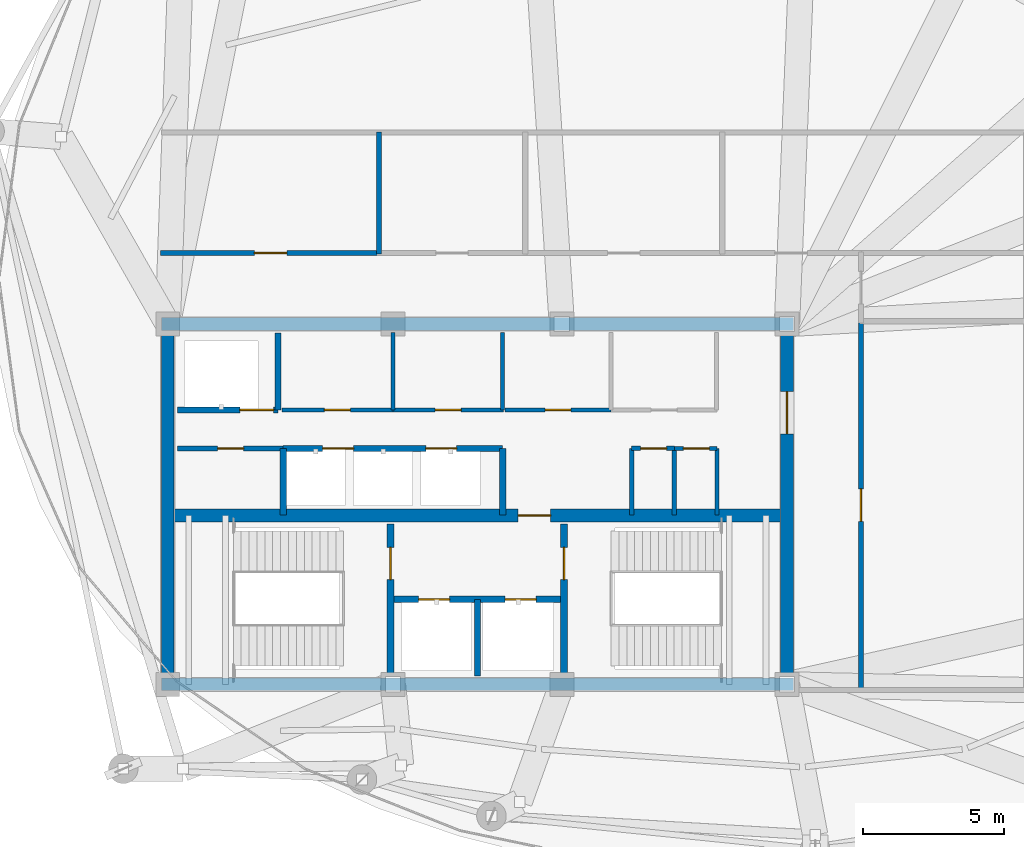
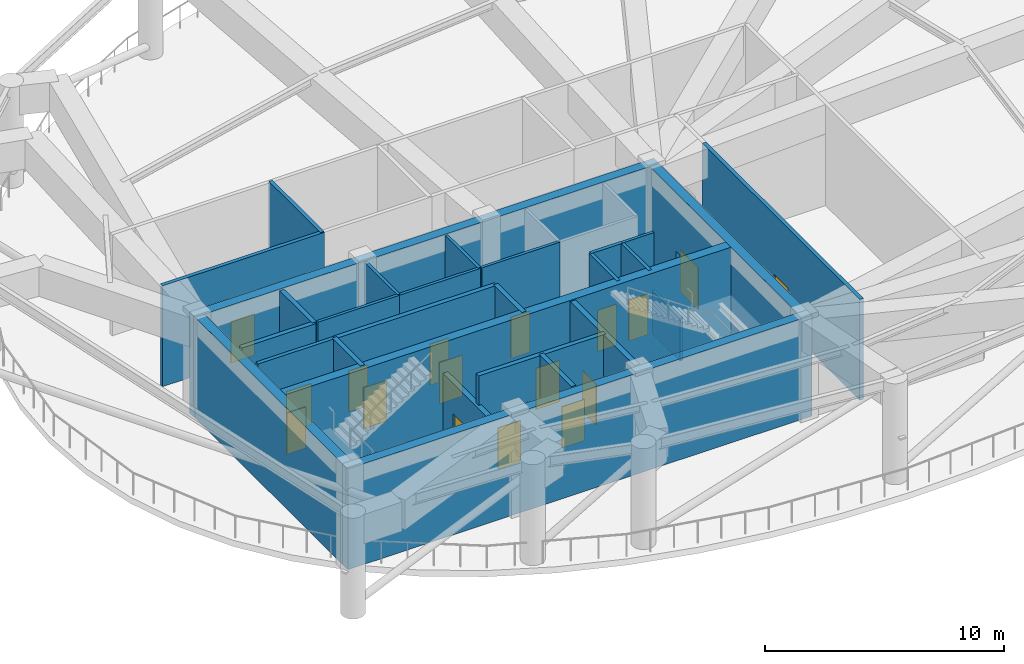
# One storey, part 6 of 9: 28 walls, 17 doors, 17 openings.
"""IFC4 building model written with IfcOpenShell, lengths in metres."""

import ifcopenshell
import ifcopenshell.guid

model = None  # the IFC model being written
_history = None  # IfcOwnerHistory: only IFC2X3 demands one
_inside = {}  # id of a spatial element -> (the spatial element, [elements in it])
_under = {}  # id of a project, library or spatial element -> (it, [spatial elements below it])
_declared = {}  # id of a project -> (the project, [libraries it declares])
_typed = {}  # id of a type object -> (the type object, [elements of that type])
_made_of = {}  # id of a material, layer set ... -> (it, [elements and type objects made of it])


def new_model(schema):
    """Start an empty IFC model of exactly this schema.

    Asked for "IFC4X3", IfcOpenShell would pick the latest addendum, in which some entities
    have other attributes; the version numbers below select the first issue.
    IFC2X3 requires an IfcOwnerHistory on every rooted entity: one is made here for all.
    """
    global model, _history
    if schema == "IFC4X3":
        model = ifcopenshell.file(schema_version=(4, 3, 0, 0))
    else:
        model = ifcopenshell.file(schema=schema)
    _inside.clear()
    _under.clear()
    _declared.clear()
    _typed.clear()
    _made_of.clear()
    _history = None
    if model.schema == "IFC2X3":
        org = make("IfcOrganization", Name="unknown")
        user = make(
            "IfcPersonAndOrganization",
            ThePerson=make("IfcPerson", FamilyName="unknown"),
            TheOrganization=org,
        )
        app = make(
            "IfcApplication",
            ApplicationDeveloper=org,
            Version="unknown",
            ApplicationFullName="unknown",
            ApplicationIdentifier="unknown",
        )
        _history = make(
            "IfcOwnerHistory",
            OwningUser=user,
            OwningApplication=app,
            ChangeAction="ADDED",
            CreationDate=0,
        )
    return model


def make(cls, **values):
    """One entity of the class cls with the attributes given. An attribute that is None is left unset."""
    return model.create_entity(
        cls, **{name: value for name, value in values.items() if value is not None}
    )


def rooted(cls, **values):
    """An entity with a GlobalId (a new one), such as an element, a storey or a relation."""
    return make(cls, GlobalId=ifcopenshell.guid.new(), OwnerHistory=_history, **values)


def si_unit(unit_type, name, prefix=None):
    """IfcSIUnit, for example si_unit("LENGTHUNIT", "METRE", prefix="MILLI")."""
    return make("IfcSIUnit", UnitType=unit_type, Prefix=prefix, Name=name)


def assignment(units):
    """IfcUnitAssignment: the units of a project."""
    return None if units is None else make("IfcUnitAssignment", Units=units)


def point(xyz):
    """IfcCartesianPoint."""
    return None if xyz is None else make("IfcCartesianPoint", Coordinates=xyz)


def direction(xyz):
    """IfcDirection."""
    return None if xyz is None else make("IfcDirection", DirectionRatios=xyz)


def frame(location, z_axis=None, x_axis=None):
    """IfcAxis2Placement3D, a coordinate frame: its origin and axes. An axis left out is left unset."""
    return make(
        "IfcAxis2Placement3D",
        Location=point(location),
        Axis=direction(z_axis),
        RefDirection=direction(x_axis),
    )


def frame_2d(location, x_axis=None):
    """IfcAxis2Placement2D, a coordinate frame in the plane: its origin and x axis."""
    return make(
        "IfcAxis2Placement2D", Location=point(location), RefDirection=direction(x_axis)
    )


def origin():
    """The frame at (0, 0, 0) with its axes left unset."""
    return frame((0.0, 0.0, 0.0))


def place(relative_to, where):
    """IfcLocalPlacement: puts the frame where relative to a parent placement (None: the world)."""
    return make(
        "IfcLocalPlacement", PlacementRelTo=relative_to, RelativePlacement=where
    )


def context(
    kind, dimensions, precision=None, world=None, true_north=None, identifier=None
):
    """IfcGeometricRepresentationContext, for example the 3D "Model" context."""
    return make(
        "IfcGeometricRepresentationContext",
        ContextIdentifier=identifier,
        ContextType=kind,
        CoordinateSpaceDimension=dimensions,
        Precision=precision,
        WorldCoordinateSystem=world,
        TrueNorth=true_north,
    )


def subcontext(parent, identifier, kind, view, scale=None):
    """IfcGeometricRepresentationSubContext, for example "Body" below "Model"."""
    return make(
        "IfcGeometricRepresentationSubContext",
        ContextIdentifier=identifier,
        ContextType=kind,
        ParentContext=parent,
        TargetScale=scale,
        TargetView=view,
    )


def project(units=None, contexts=None):
    """IfcProject with its units and contexts."""
    return rooted(
        "IfcProject",
        Name="project",
        RepresentationContexts=contexts,
        UnitsInContext=assignment(units),
    )


def spatial(cls, under=None, at=None, **own):
    """A site, building, storey or space (cls), placed at a placement, below another one or the project."""
    s = rooted(cls, ObjectPlacement=at, **own)
    if under is not None:
        _under.setdefault(under.id(), (under, []))[1].append(s)
    return s


def profile(cls, at=None, kind="AREA", **sizes):
    """A parametric profile (cls). Its sizes go by their IFC names, for example OverallWidth=200.0."""
    return make(cls, ProfileType=kind, Position=at, **sizes)


def rectangle(**sizes):
    """IfcRectangleProfileDef."""
    return profile("IfcRectangleProfileDef", **sizes)


def extrude(swept, where, along, depth):
    """IfcExtrudedAreaSolid: the profile swept, set in the frame where, extruded along a direction by depth."""
    return make(
        "IfcExtrudedAreaSolid",
        SweptArea=swept,
        Position=where,
        ExtrudedDirection=direction(along),
        Depth=depth,
    )


def shape(context_of_items, identifier, shape_type, items):
    """IfcShapeRepresentation: the items that make up one representation, for example the "Body"."""
    return make(
        "IfcShapeRepresentation",
        ContextOfItems=context_of_items,
        RepresentationIdentifier=identifier,
        RepresentationType=shape_type,
        Items=items,
    )


def material(Name=None, Category=None):
    """IfcMaterial."""
    return make("IfcMaterial", Name=Name, Category=Category)


def layer(
    of_material, thickness, ventilated=None, Name=None, Category=None, Priority=None
):
    """IfcMaterialLayer: one layer of a wall or slab, of a material (None: an air gap)."""
    return make(
        "IfcMaterialLayer",
        Material=of_material,
        LayerThickness=thickness,
        IsVentilated=ventilated,
        Name=Name,
        Category=Category,
        Priority=Priority,
    )


def layer_set(layers, Name=None):
    """IfcMaterialLayerSet."""
    return make("IfcMaterialLayerSet", MaterialLayers=layers, LayerSetName=Name)


def made_of(thing, what):
    """Note that an element or type object is made of a material, layer set ...; save() writes the relation."""
    if what is not None:
        _made_of.setdefault(what.id(), (what, []))[1].append(thing)
    return thing


def type_object(cls, material=None, **own):
    """A type object (cls), such as IfcWallType, which elements share."""
    return made_of(rooted(cls, **own), material)


def element(
    cls,
    number,
    at=None,
    inside=None,
    cuts=None,
    type_object=None,
    material=None,
    context=None,
    identifier="Body",
    shape_type=None,
    held_by="IfcProductDefinitionShape",
    body=None,
    shapes=None,
    **own,
):
    """One element of the class cls, such as IfcWall. Its Tag is "e" and its number.

    at: its placement. inside: the storey or other place that contains it. cuts: it is an
    opening in that element (IfcRelVoidsElement). A single representation is given by context,
    identifier, shape_type and body (its items); several are given by shapes. held_by: the class
    of the entity that holds the representations. save() writes the other relations.
    """
    e = rooted(cls, Tag="e%d" % number, ObjectPlacement=at, **own)
    if body is not None:
        shapes = [shape(context, identifier, shape_type, body)]
    if shapes is not None:
        e.Representation = make(held_by, Representations=shapes)
    if inside is not None:
        _inside.setdefault(inside.id(), (inside, []))[1].append(e)
    if cuts is not None:
        rooted(
            "IfcRelVoidsElement", RelatingBuildingElement=cuts, RelatedOpeningElement=e
        )
    if type_object is not None:
        _typed.setdefault(type_object.id(), (type_object, []))[1].append(e)
    return made_of(e, material)


def fill(opening, filler):
    """IfcRelFillsElement: the door or window that sits in an opening."""
    return rooted(
        "IfcRelFillsElement",
        RelatingOpeningElement=opening,
        RelatedBuildingElement=filler,
    )


def aggregate(whole, parts):
    """IfcRelAggregates: a whole, such as a stair, and the parts it consists of."""
    return rooted("IfcRelAggregates", RelatingObject=whole, RelatedObjects=parts)


def save(model, path):
    """Write the relations noted so far, then the file.

    IfcRelAggregates (storeys below a building ...), IfcRelContainedInSpatialStructure (elements
    in a storey), IfcRelDefinesByType, IfcRelAssociatesMaterial and IfcRelDeclares: one each for
    every whole, place, type object, material and project.
    """
    for whole, parts in _under.values():
        aggregate(whole, parts)
    for where, things in _inside.values():
        rooted(
            "IfcRelContainedInSpatialStructure",
            RelatedElements=things,
            RelatingStructure=where,
        )
    for kind, things in _typed.values():
        rooted("IfcRelDefinesByType", RelatedObjects=things, RelatingType=kind)
    for what, things in _made_of.values():
        rooted("IfcRelAssociatesMaterial", RelatedObjects=things, RelatingMaterial=what)
    for by, libraries in _declared.values():
        rooted("IfcRelDeclares", RelatingContext=by, RelatedDefinitions=libraries)
    model.write(path)


model = new_model("IFC4")

# Units and contexts
model_context = context("Model", 3, precision=1e-05, world=origin(), true_north=direction((0.0, 1.0)))
body_context = subcontext(model_context, "Body", "Model", "MODEL_VIEW")
ifc_project = project(units=[si_unit("LENGTHUNIT", "METRE"), si_unit("AREAUNIT", "SQUARE_METRE"), si_unit("VOLUMEUNIT", "CUBIC_METRE"), si_unit("PLANEANGLEUNIT", "RADIAN"), si_unit("MASSUNIT", "GRAM", prefix="KILO")], contexts=[model_context])

# Site, building, storey
site_placement = place(None, origin())
site = spatial("IfcSite", under=ifc_project, at=site_placement, CompositionType="ELEMENT")
building_placement = place(site_placement, origin())
building = spatial("IfcBuilding", under=site, at=building_placement, Name="Kazevale Care Tower and Concert Hall", CompositionType="ELEMENT")
storey_placement = place(building_placement, frame((0.0, 0.0, 253.199951171875)))
storey = spatial("IfcBuildingStorey", under=building, at=storey_placement, Name="L67", CompositionType="ELEMENT", Elevation=253.199951171875)

# Wall, opening, door
ifc_material_1 = material(Name="Acoustic Gypsum on Steel Stud", Category="steel")
ifc_layer_1 = layer(ifc_material_1, 0.139892578125)
ifc_layer_set_1 = layer_set([ifc_layer_1], Name="Acoustic Gypsum on Steel Stud")
wall_type_1 = type_object("IfcWallType", Name="Acoustic Care & Suite Partition 140", PredefinedType="PARTITIONING", material=ifc_layer_set_1)
wall_1_placement = place(storey_placement, frame((26.050048828125, 33.35009765625, 0.0), z_axis=(0.0, 0.0, 1.0), x_axis=(1.0, 0.0, 0.0)))
wall_1 = element("IfcWall", 1, at=wall_1_placement, inside=storey, type_object=wall_type_1, Name="wall:L67:c_rpl1_s", PredefinedType="PARTITIONING", context=body_context, shape_type="SweptSolid", body=[
    extrude(rectangle(XDim=3.949951171875, YDim=0.139892578125, at=frame_2d((1.97509765625, 0.0))), origin(), (0.0, 0.0, 1.0), 5.16015625),
])
opening_1_placement = place(wall_1_placement, frame((1.514892578125, 0.0, 0.0)))
opening_1 = element("IfcOpeningElement", 2, at=opening_1_placement, cuts=wall_1, Name="Opening ID-900", PredefinedType="OPENING", context=body_context, shape_type="SweptSolid", body=[
    extrude(rectangle(XDim=0.919921875, YDim=2.10009765625, at=frame_2d((0.4599609375, 1.050048828125))), frame((0.0, 0.079833984375, 0.0), z_axis=(0.0, -1.0, 0.0), x_axis=(1.0, 0.0, 0.0)), (0.0, 0.0, 1.0), 0.159912109375),
])
ifc_material_2 = material(Name="Oak Timber Fire Leaf", Category="wood")
door_type_1 = type_object("IfcDoorType", Name="Bathroom & Service Door 920x2100", OperationType="NOTDEFINED", PredefinedType="DOOR", material=ifc_material_2)
door_1_placement = place(opening_1_placement, origin())
door_1 = element("IfcDoor", 3, at=door_1_placement, inside=storey, type_object=door_type_1, Name="door:L67:d_rpl1", OperationType="SINGLE_SWING_LEFT", OverallHeight=2.10009765625, OverallWidth=0.919921875, PredefinedType="DOOR", context=body_context, shape_type="SweptSolid", body=[
    extrude(rectangle(XDim=0.919921875, YDim=2.10009765625, at=frame_2d((0.4599609375, 1.050048828125))), frame((0.0, 0.02490234375, 0.0), z_axis=(0.0, -1.0, 0.0), x_axis=(1.0, 0.0, 0.0)), (0.0, 0.0, 1.0), 0.050048828125),
])
fill(opening_1, door_1)

wall_2_placement = place(storey_placement, frame((30.0, 33.35009765625, 0.0), z_axis=(0.0, 0.0, 1.0), x_axis=(1.0, 0.0, 0.0)))
wall_2 = element("IfcWall", 4, at=wall_2_placement, inside=storey, type_object=wall_type_1, Name="wall:L67:c_rpl2_s", PredefinedType="PARTITIONING", context=body_context, shape_type="SweptSolid", body=[
    extrude(rectangle(XDim=3.919921875, YDim=0.139892578125, at=frame_2d((1.9599609375, 0.0))), origin(), (0.0, 0.0, 1.0), 5.16015625),
])
opening_2_placement = place(wall_2_placement, frame((1.5, 0.0, 0.0)))
opening_2 = element("IfcOpeningElement", 5, at=opening_2_placement, cuts=wall_2, Name="Opening ID-900", PredefinedType="OPENING", context=body_context, shape_type="SweptSolid", body=[
    extrude(rectangle(XDim=0.919921875, YDim=2.10009765625, at=frame_2d((0.4599609375, 1.050048828125))), frame((0.0, 0.079833984375, 0.0), z_axis=(0.0, -1.0, 0.0), x_axis=(1.0, 0.0, 0.0)), (0.0, 0.0, 1.0), 0.159912109375),
])
door_2_placement = place(opening_2_placement, origin())
door_2 = element("IfcDoor", 6, at=door_2_placement, inside=storey, type_object=door_type_1, Name="door:L67:d_rpl2", OperationType="SINGLE_SWING_RIGHT", OverallHeight=2.10009765625, OverallWidth=0.919921875, PredefinedType="DOOR", context=body_context, shape_type="SweptSolid", body=[
    extrude(rectangle(XDim=0.919921875, YDim=2.10009765625, at=frame_2d((0.4599609375, 1.050048828125))), frame((0.0, 0.02490234375, 0.0), z_axis=(0.0, -1.0, 0.0), x_axis=(1.0, 0.0, 0.0)), (0.0, 0.0, 1.0), 0.050048828125),
])
fill(opening_2, door_2)

# Walls
for number, where, z_axis, x_axis, name in (
    (7, (30.0, 33.35009765625, 0.0), (0.0, 0.0, 1.0), (0.0, 1.0, 0.0), "wall:L67:c_rpl_m"),
    (8, (33.89990234375, 33.35009765625, 0.0), (0.0, 0.0, 1.0), (0.0, 1.0, 0.0), "wall:L67:c_rpl_e"),
):
    element("IfcWall", number, at=place(storey_placement, frame(where, z_axis=z_axis, x_axis=x_axis)), inside=storey, type_object=wall_type_1, Name=name, PredefinedType="PARTITIONING", context=body_context, shape_type="SweptSolid", body=[
        extrude(rectangle(XDim=2.75, YDim=0.139892578125, at=frame_2d((1.375, 0.0))), origin(), (0.0, 0.0, 1.0), 5.16015625),
    ])

# Wall, opening, door
wall_3_placement = place(storey_placement, frame((33.97998046875, 33.35009765625, 0.0), z_axis=(0.0, 0.0, 1.0), x_axis=(1.0, 0.0, 0.0)))
wall_3 = element("IfcWall", 9, at=wall_3_placement, inside=storey, type_object=wall_type_1, Name="wall:L67:c_rpm1_s", PredefinedType="PARTITIONING", context=body_context, shape_type="SweptSolid", body=[
    extrude(rectangle(XDim=3.77001953125, YDim=0.139892578125, at=frame_2d((1.885009765625, 0.0))), origin(), (0.0, 0.0, 1.0), 5.16015625),
])
opening_3_placement = place(wall_3_placement, frame((1.425048828125, 0.0, 0.0)))
opening_3 = element("IfcOpeningElement", 10, at=opening_3_placement, cuts=wall_3, Name="Opening ID-900", PredefinedType="OPENING", context=body_context, shape_type="SweptSolid", body=[
    extrude(rectangle(XDim=0.919921875, YDim=2.10009765625, at=frame_2d((0.4599609375, 1.050048828125))), frame((0.0, 0.079833984375, 0.0), z_axis=(0.0, -1.0, 0.0), x_axis=(1.0, 0.0, 0.0)), (0.0, 0.0, 1.0), 0.159912109375),
])
door_3_placement = place(opening_3_placement, origin())
door_3 = element("IfcDoor", 11, at=door_3_placement, inside=storey, type_object=door_type_1, Name="door:L67:d_rpm1", OperationType="SINGLE_SWING_LEFT", OverallHeight=2.10009765625, OverallWidth=0.919921875, PredefinedType="DOOR", context=body_context, shape_type="SweptSolid", body=[
    extrude(rectangle(XDim=0.919921875, YDim=2.10009765625, at=frame_2d((0.4599609375, 1.050048828125))), frame((0.0, 0.02490234375, 0.0), z_axis=(0.0, -1.0, 0.0), x_axis=(1.0, 0.0, 0.0)), (0.0, 0.0, 1.0), 0.050048828125),
])
fill(opening_3, door_3)

# Wall
wall_4_placement = place(storey_placement, frame((41.52001953125, 29.6201171875, 0.0), z_axis=(0.0, 0.0, 1.0), x_axis=(0.0, 1.0, 0.0)))
element("IfcWall", 12, at=wall_4_placement, inside=storey, type_object=wall_type_1, Name="wall:L67:ka_ee", PredefinedType="PARTITIONING", context=body_context, shape_type="SweptSolid", body=[
    extrude(rectangle(XDim=2.35986328125, YDim=0.139892578125, at=frame_2d((1.179931640625, 0.0))), origin(), (0.0, 0.0, 1.0), 2.18701171875),
])

# Wall, opening, door
wall_5_placement = place(storey_placement, frame((40.0, 31.97998046875, 0.0), z_axis=(0.0, 0.0, 1.0), x_axis=(1.0, 0.0, 0.0)))
wall_5 = element("IfcWall", 13, at=wall_5_placement, inside=storey, type_object=wall_type_1, Name="wall:L67:ka_en2", PredefinedType="PARTITIONING", context=body_context, shape_type="SweptSolid", body=[
    extrude(rectangle(XDim=1.52001953125, YDim=0.139892578125, at=frame_2d((0.760009765625, 0.0))), origin(), (0.0, 0.0, 1.0), 5.16015625),
])
opening_4_placement = place(wall_5_placement, frame((0.320068359375, 0.0, 0.0)))
opening_4 = element("IfcOpeningElement", 14, at=opening_4_placement, cuts=wall_5, Name="Opening ID-900", PredefinedType="OPENING", context=body_context, shape_type="SweptSolid", body=[
    extrude(rectangle(XDim=0.919921875, YDim=2.10009765625, at=frame_2d((0.4599609375, 1.050048828125))), frame((0.0, 0.079833984375, 0.0), z_axis=(0.0, -1.0, 0.0), x_axis=(1.0, 0.0, 0.0)), (0.0, 0.0, 1.0), 0.159912109375),
])
door_4_placement = place(opening_4_placement, origin())
door_4 = element("IfcDoor", 15, at=door_4_placement, inside=storey, type_object=door_type_1, Name="door:L67:d_kae2", OperationType="SINGLE_SWING_RIGHT", OverallHeight=2.10009765625, OverallWidth=0.919921875, PredefinedType="DOOR", context=body_context, shape_type="SweptSolid", body=[
    extrude(rectangle(XDim=0.919921875, YDim=2.10009765625, at=frame_2d((0.4599609375, 1.050048828125))), frame((0.0, 0.02490234375, 0.0), z_axis=(0.0, -1.0, 0.0), x_axis=(1.0, 0.0, 0.0)), (0.0, 0.0, 1.0), 0.050048828125),
])
fill(opening_4, door_4)

# Walls
ifc_material_3 = material(Name="Concrete C50", Category="concrete")
ifc_layer_2 = layer(ifc_material_3, 0.449951171875)
ifc_layer_set_2 = layer_set([ifc_layer_2], Name="Concrete C50")
wall_type_2 = type_object("IfcWallType", Name="Core Shear Wall 450 C50", PredefinedType="SHEAR", material=ifc_layer_set_2)
for number, where, z_axis, x_axis, name in (
    (16, (21.77490234375, 23.60009765625, 0.0), (0.0, 0.0, 1.0), (1.0, 0.0, 0.0), "wall:L67:core:S"),
    (17, (21.77490234375, 36.39990234375, 0.0), (0.0, 0.0, 1.0), (1.0, 0.0, 0.0), "wall:L67:core:N"),
):
    element("IfcWall", number, at=place(storey_placement, frame(where, z_axis=z_axis, x_axis=x_axis)), inside=storey, type_object=wall_type_2, Name=name, PredefinedType="SHEAR", context=body_context, shape_type="SweptSolid", body=[
        extrude(rectangle(XDim=22.4501953125, YDim=0.449951171875, at=frame_2d((11.22509765625, 0.0))), origin(), (0.0, 0.0, 1.0), 5.16015625),
    ])
wall_6_placement = place(storey_placement, frame((22.0, 23.824951171875, 0.0), z_axis=(0.0, 0.0, 1.0), x_axis=(0.0, 1.0, 0.0)))
element("IfcWall", 18, at=wall_6_placement, inside=storey, type_object=wall_type_2, Name="wall:L67:core:W", PredefinedType="SHEAR", context=body_context, shape_type="SweptSolid", body=[
    extrude(rectangle(XDim=12.35009765625, YDim=0.449951171875, at=frame_2d((6.175048828125, 0.0))), origin(), (0.0, 0.0, 1.0), 5.16015625),
])

# Wall, opening, door
wall_7_placement = place(storey_placement, frame((44.0, 23.824951171875, 0.0), z_axis=(0.0, 0.0, 1.0), x_axis=(0.0, 1.0, 0.0)))
wall_7 = element("IfcWall", 19, at=wall_7_placement, inside=storey, type_object=wall_type_2, Name="wall:L67:core:E", PredefinedType="SHEAR", context=body_context, shape_type="SweptSolid", body=[
    extrude(rectangle(XDim=12.35009765625, YDim=0.449951171875, at=frame_2d((6.175048828125, 0.0))), origin(), (0.0, 0.0, 1.0), 5.16015625),
])
opening_5_placement = place(wall_7_placement, frame((8.675048828125, 0.0, 0.0)))
opening_5 = element("IfcOpeningElement", 20, at=opening_5_placement, cuts=wall_7, Name="Opening FD-60D", PredefinedType="OPENING", context=body_context, shape_type="SweptSolid", body=[
    extrude(rectangle(XDim=1.5, YDim=2.14990234375, at=frame_2d((0.75, 1.074951171875))), frame((0.0, 0.23486328125, 0.0), z_axis=(0.0, -1.0, 0.0), x_axis=(1.0, 0.0, 0.0)), (0.0, 0.0, 1.0), 0.469970703125),
])
door_type_2 = type_object("IfcDoorType", Name="Double Lobby & Auditorium Fire Door 1500x2150", OperationType="NOTDEFINED", PredefinedType="DOOR", material=ifc_material_2)
door_5_placement = place(opening_5_placement, origin())
door_5 = element("IfcDoor", 21, at=door_5_placement, inside=storey, type_object=door_type_2, Name="door:L67:core_east_out", OperationType="DOUBLE_DOOR_SINGLE_SWING", OverallHeight=2.14990234375, OverallWidth=1.5, PredefinedType="DOOR", context=body_context, shape_type="SweptSolid", body=[
    extrude(rectangle(XDim=1.5, YDim=2.14990234375, at=frame_2d((0.75, 1.074951171875))), frame((0.0, 0.02490234375, 0.0), z_axis=(0.0, -1.0, 0.0), x_axis=(1.0, 0.0, 0.0)), (0.0, 0.0, 1.0), 0.050048828125),
])
fill(opening_5, door_5)

wall_8_placement = place(storey_placement, frame((22.22509765625, 29.60009765625, 0.0), z_axis=(0.0, 0.0, 1.0), x_axis=(1.0, 0.0, 0.0)))
wall_8 = element("IfcWall", 22, at=wall_8_placement, inside=storey, type_object=wall_type_2, Name="wall:L67:core:M", PredefinedType="SHEAR", context=body_context, shape_type="SweptSolid", body=[
    extrude(rectangle(XDim=21.5498046875, YDim=0.449951171875, at=frame_2d((10.77490234375, 0.0))), origin(), (0.0, 0.0, 1.0), 5.16015625),
])
opening_6_placement = place(wall_8_placement, frame((12.22509765625, 0.0, 0.0)))
opening_6 = element("IfcOpeningElement", 23, at=opening_6_placement, cuts=wall_8, Name="Opening FD-90", PredefinedType="OPENING", context=body_context, shape_type="SweptSolid", body=[
    extrude(rectangle(XDim=1.14990234375, YDim=2.10009765625, at=frame_2d((0.574951171875, 1.050048828125))), frame((0.0, 0.23486328125, 0.0), z_axis=(0.0, -1.0, 0.0), x_axis=(1.0, 0.0, 0.0)), (0.0, 0.0, 1.0), 0.469970703125),
])
ifc_material_4 = material(Name="Steel ASTM A572 Gr 50", Category="steel")
door_type_3 = type_object("IfcDoorType", Name="Pressurized Stair & Lobby Fire Door 1150x2100", OperationType="NOTDEFINED", PredefinedType="DOOR", material=ifc_material_4)
door_6_placement = place(opening_6_placement, origin())
door_6 = element("IfcDoor", 24, at=door_6_placement, inside=storey, type_object=door_type_3, Name="door:L67:ff_to_pax", OperationType="SINGLE_SWING_LEFT", OverallHeight=2.10009765625, OverallWidth=1.14990234375, PredefinedType="DOOR", context=body_context, shape_type="SweptSolid", body=[
    extrude(rectangle(XDim=1.14990234375, YDim=2.10009765625, at=frame_2d((0.574951171875, 1.050048828125))), frame((0.0, 0.02490234375, 0.0), z_axis=(0.0, -1.0, 0.0), x_axis=(1.0, 0.0, 0.0)), (0.0, 0.0, 1.0), 0.050048828125),
])
fill(opening_6, door_6)

# Wall, openings, doors
ifc_material_5 = material(Name="Concrete C40", Category="concrete")
ifc_layer_3 = layer(ifc_material_5, 0.219970703125)
ifc_layer_set_3 = layer_set([ifc_layer_3], Name="Concrete C40")
wall_type_3 = type_object("IfcWallType", Name="Elevator Hoistway Shaft Wall 220", PredefinedType="SOLIDWALL", material=ifc_layer_set_3)
wall_9_placement = place(storey_placement, frame((29.919921875, 26.6201171875, 0.0), z_axis=(0.0, 0.0, 1.0), x_axis=(1.0, 0.0, 0.0)))
wall_9 = element("IfcWall", 25, at=wall_9_placement, inside=storey, type_object=wall_type_3, Name="wall:L67:c_ffl_n", PredefinedType="SOLIDWALL", context=body_context, shape_type="SweptSolid", body=[
    extrude(rectangle(XDim=6.16015625, YDim=0.219970703125, at=frame_2d((3.080078125, 0.0))), origin(), (0.0, 0.0, 1.0), 5.16015625),
])
opening_7_placement = place(wall_9_placement, frame((0.989990234375, 0.0, 0.0)))
opening_7 = element("IfcOpeningElement", 26, at=opening_7_placement, cuts=wall_9, Name="Opening LD-FF", PredefinedType="OPENING", context=body_context, shape_type="SweptSolid", body=[
    extrude(rectangle(XDim=1.10009765625, YDim=2.10009765625, at=frame_2d((0.550048828125, 1.050048828125))), frame((0.0, 0.119873046875, 0.0), z_axis=(0.0, -1.0, 0.0), x_axis=(1.0, 0.0, 0.0)), (0.0, 0.0, 1.0), 0.239990234375),
])
opening_8_placement = place(wall_9_placement, frame((4.070068359375, 0.0, 0.0)))
opening_8 = element("IfcOpeningElement", 27, at=opening_8_placement, cuts=wall_9, Name="Opening LD-FF", PredefinedType="OPENING", context=body_context, shape_type="SweptSolid", body=[
    extrude(rectangle(XDim=1.10009765625, YDim=2.10009765625, at=frame_2d((0.550048828125, 1.050048828125))), frame((0.0, 0.119873046875, 0.0), z_axis=(0.0, -1.0, 0.0), x_axis=(1.0, 0.0, 0.0)), (0.0, 0.0, 1.0), 0.239990234375),
])
ifc_material_6 = material(Name="Stainless Steel 316", Category="steel")
door_type_4 = type_object("IfcDoorType", Name="Emergency Lift Sliding Landing Door 1100x2100", OperationType="NOTDEFINED", PredefinedType="DOOR", material=ifc_material_6)
door_7_placement = place(opening_7_placement, origin())
door_7 = element("IfcDoor", 28, at=door_7_placement, inside=storey, type_object=door_type_4, Name="door:L67:ld_ffl1", OperationType="SLIDING_TO_LEFT", OverallHeight=2.10009765625, OverallWidth=1.10009765625, PredefinedType="DOOR", context=body_context, shape_type="SweptSolid", body=[
    extrude(rectangle(XDim=1.10009765625, YDim=2.10009765625, at=frame_2d((0.550048828125, 1.050048828125))), frame((0.0, 0.02490234375, 0.0), z_axis=(0.0, -1.0, 0.0), x_axis=(1.0, 0.0, 0.0)), (0.0, 0.0, 1.0), 0.050048828125),
])
fill(opening_7, door_7)
door_8_placement = place(opening_8_placement, origin())
door_8 = element("IfcDoor", 29, at=door_8_placement, inside=storey, type_object=door_type_4, Name="door:L67:ld_ffl2", OperationType="SLIDING_TO_RIGHT", OverallHeight=2.10009765625, OverallWidth=1.10009765625, PredefinedType="DOOR", context=body_context, shape_type="SweptSolid", body=[
    extrude(rectangle(XDim=1.10009765625, YDim=2.10009765625, at=frame_2d((0.550048828125, 1.050048828125))), frame((0.0, 0.02490234375, 0.0), z_axis=(0.0, -1.0, 0.0), x_axis=(1.0, 0.0, 0.0)), (0.0, 0.0, 1.0), 0.050048828125),
])
fill(opening_8, door_8)

# Walls
wall_10_placement = place(storey_placement, frame((33.0, 23.89990234375, 0.0), z_axis=(0.0, 0.0, 1.0), x_axis=(0.0, 1.0, 0.0)))
element("IfcWall", 30, at=wall_10_placement, inside=storey, type_object=wall_type_3, Name="wall:L67:c_ffl_m", PredefinedType="SOLIDWALL", context=body_context, shape_type="SweptSolid", body=[
    extrude(rectangle(XDim=2.72021484375, YDim=0.219970703125, at=frame_2d((1.360107421875, 0.0))), origin(), (0.0, 0.0, 1.0), 5.16015625),
])
wall_11_placement = place(storey_placement, frame((25.919921875, 33.35009765625, 0.0), z_axis=(0.0, 0.0, 1.0), x_axis=(0.0, 1.0, 0.0)))
element("IfcWall", 31, at=wall_11_placement, inside=storey, type_object=wall_type_3, Name="wall:L67:c_svl_e", PredefinedType="SOLIDWALL", context=body_context, shape_type="SweptSolid", body=[
    extrude(rectangle(XDim=2.72998046875, YDim=0.219970703125, at=frame_2d((1.364990234375, 0.0))), origin(), (0.0, 0.0, 1.0), 5.16015625),
])

# Wall, opening, door
wall_12_placement = place(storey_placement, frame((22.35009765625, 33.35009765625, 0.0), z_axis=(0.0, 0.0, 1.0), x_axis=(1.0, 0.0, 0.0)))
wall_12 = element("IfcWall", 32, at=wall_12_placement, inside=storey, type_object=wall_type_3, Name="wall:L67:c_svl_s", PredefinedType="SOLIDWALL", context=body_context, shape_type="SweptSolid", body=[
    extrude(rectangle(XDim=3.56982421875, YDim=0.219970703125, at=frame_2d((1.784912109375, 0.0))), origin(), (0.0, 0.0, 1.0), 5.16015625),
])
opening_9_placement = place(wall_12_placement, frame((2.212890625, 0.0, 0.0)))
opening_9 = element("IfcOpeningElement", 33, at=opening_9_placement, cuts=wall_12, Name="Opening LD-SV", PredefinedType="OPENING", context=body_context, shape_type="SweptSolid", body=[
    extrude(rectangle(XDim=1.199951171875, YDim=2.10009765625, at=frame_2d((0.60009765625, 1.050048828125))), frame((0.0, 0.119873046875, 0.0), z_axis=(0.0, -1.0, 0.0), x_axis=(1.0, 0.0, 0.0)), (0.0, 0.0, 1.0), 0.239990234375),
])
door_type_5 = type_object("IfcDoorType", Name="Service Lift Sliding Landing Door 1200x2100", OperationType="NOTDEFINED", PredefinedType="DOOR", material=ifc_material_6)
door_9_placement = place(opening_9_placement, origin())
door_9 = element("IfcDoor", 34, at=door_9_placement, inside=storey, type_object=door_type_5, Name="door:L67:ld_svl1", OperationType="SLIDING_TO_LEFT", OverallHeight=2.10009765625, OverallWidth=1.199951171875, PredefinedType="DOOR", context=body_context, shape_type="SweptSolid", body=[
    extrude(rectangle(XDim=1.199951171875, YDim=2.10009765625, at=frame_2d((0.60009765625, 1.050048828125))), frame((0.0, 0.02490234375, 0.0), z_axis=(0.0, -1.0, 0.0), x_axis=(1.0, 0.0, 0.0)), (0.0, 0.0, 1.0), 0.050048828125),
])
fill(opening_9, door_9)

# Wall
wall_13_placement = place(storey_placement, frame((26.10009765625, 29.6201171875, 0.0), z_axis=(0.0, 0.0, 1.0), x_axis=(0.0, 1.0, 0.0)))
element("IfcWall", 35, at=wall_13_placement, inside=storey, type_object=wall_type_3, Name="wall:L67:c_ph_w", PredefinedType="SOLIDWALL", context=body_context, shape_type="SweptSolid", body=[
    extrude(rectangle(XDim=2.35986328125, YDim=0.219970703125, at=frame_2d((1.179931640625, 0.0))), origin(), (0.0, 0.0, 1.0), 5.16015625),
])

# Wall, openings, doors
wall_14_placement = place(storey_placement, frame((26.10009765625, 31.97998046875, 0.0), z_axis=(0.0, 0.0, 1.0), x_axis=(1.0, 0.0, 0.0)))
wall_14 = element("IfcWall", 36, at=wall_14_placement, inside=storey, type_object=wall_type_3, Name="wall:L67:c_ph_n", PredefinedType="SOLIDWALL", context=body_context, shape_type="SweptSolid", body=[
    extrude(rectangle(XDim=7.7998046875, YDim=0.219970703125, at=frame_2d((3.89990234375, 0.0))), origin(), (0.0, 0.0, 1.0), 5.16015625),
])
opening_10_placement = place(wall_14_placement, frame((1.39990234375, 0.0, 0.0)))
opening_10 = element("IfcOpeningElement", 37, at=opening_10_placement, cuts=wall_14, Name="Opening LD-PAX", PredefinedType="OPENING", context=body_context, shape_type="SweptSolid", body=[
    extrude(rectangle(XDim=1.10009765625, YDim=2.10009765625, at=frame_2d((0.550048828125, 1.050048828125))), frame((0.0, 0.119873046875, 0.0), z_axis=(0.0, -1.0, 0.0), x_axis=(1.0, 0.0, 0.0)), (0.0, 0.0, 1.0), 0.239990234375),
])
opening_11_placement = place(wall_14_placement, frame((5.06591796875, 0.0, 0.0)))
opening_11 = element("IfcOpeningElement", 38, at=opening_11_placement, cuts=wall_14, Name="Opening LD-PAX", PredefinedType="OPENING", context=body_context, shape_type="SweptSolid", body=[
    extrude(rectangle(XDim=1.10009765625, YDim=2.10009765625, at=frame_2d((0.550048828125, 1.050048828125))), frame((0.0, 0.119873046875, 0.0), z_axis=(0.0, -1.0, 0.0), x_axis=(1.0, 0.0, 0.0)), (0.0, 0.0, 1.0), 0.239990234375),
])
door_type_6 = type_object("IfcDoorType", Name="Passenger Lift Sliding Landing Door 1100x2100", OperationType="NOTDEFINED", PredefinedType="DOOR", material=ifc_material_6)
door_10_placement = place(opening_10_placement, origin())
door_10 = element("IfcDoor", 39, at=door_10_placement, inside=storey, type_object=door_type_6, Name="door:L67:ld_ph1", OperationType="SLIDING_TO_LEFT", OverallHeight=2.10009765625, OverallWidth=1.10009765625, PredefinedType="DOOR", context=body_context, shape_type="SweptSolid", body=[
    extrude(rectangle(XDim=1.10009765625, YDim=2.10009765625, at=frame_2d((0.550048828125, 1.050048828125))), frame((0.0, 0.02490234375, 0.0), z_axis=(0.0, -1.0, 0.0), x_axis=(1.0, 0.0, 0.0)), (0.0, 0.0, 1.0), 0.050048828125),
])
fill(opening_10, door_10)
door_11_placement = place(opening_11_placement, origin())
door_11 = element("IfcDoor", 40, at=door_11_placement, inside=storey, type_object=door_type_6, Name="door:L67:ld_ph2", OperationType="SLIDING_TO_RIGHT", OverallHeight=2.10009765625, OverallWidth=1.10009765625, PredefinedType="DOOR", context=body_context, shape_type="SweptSolid", body=[
    extrude(rectangle(XDim=1.10009765625, YDim=2.10009765625, at=frame_2d((0.550048828125, 1.050048828125))), frame((0.0, 0.02490234375, 0.0), z_axis=(0.0, -1.0, 0.0), x_axis=(1.0, 0.0, 0.0)), (0.0, 0.0, 1.0), 0.050048828125),
])
fill(opening_11, door_11)

# Wall
wall_15_placement = place(storey_placement, frame((33.89990234375, 29.6201171875, 0.0), z_axis=(0.0, 0.0, 1.0), x_axis=(0.0, 1.0, 0.0)))
element("IfcWall", 41, at=wall_15_placement, inside=storey, type_object=wall_type_3, Name="wall:L67:c_ph_e", PredefinedType="SOLIDWALL", context=body_context, shape_type="SweptSolid", body=[
    extrude(rectangle(XDim=2.35986328125, YDim=0.219970703125, at=frame_2d((1.179931640625, 0.0))), origin(), (0.0, 0.0, 1.0), 5.16015625),
])

# Wall, opening, door
ifc_material_7 = material(Name="Concrete C40 and Acoustic Gypsum", Category="concrete")
ifc_layer_4 = layer(ifc_material_7, 0.179931640625)
ifc_layer_set_4 = layer_set([ifc_layer_4], Name="Concrete C40 and Acoustic Gypsum")
wall_type_4 = type_object("IfcWallType", Name="Fire-Rated Corridor & Party Wall 180", PredefinedType="PARTITIONING", material=ifc_layer_set_4)
wall_16_placement = place(storey_placement, frame((22.35009765625, 31.97998046875, 0.0), z_axis=(0.0, 0.0, 1.0), x_axis=(1.0, 0.0, 0.0)))
wall_16 = element("IfcWall", 42, at=wall_16_placement, inside=storey, type_object=wall_type_4, Name="wall:L67:ka_wn1", PredefinedType="PARTITIONING", context=body_context, shape_type="SweptSolid", body=[
    extrude(rectangle(XDim=3.75, YDim=0.179931640625, at=frame_2d((1.875, 0.0))), origin(), (0.0, 0.0, 1.0), 5.16015625),
])
opening_12_placement = place(wall_16_placement, frame((1.425048828125, 0.0, 0.0)))
opening_12 = element("IfcOpeningElement", 43, at=opening_12_placement, cuts=wall_16, Name="Opening ID-900", PredefinedType="OPENING", context=body_context, shape_type="SweptSolid", body=[
    extrude(rectangle(XDim=0.919921875, YDim=2.10009765625, at=frame_2d((0.4599609375, 1.050048828125))), frame((0.0, 0.099853515625, 0.0), z_axis=(0.0, -1.0, 0.0), x_axis=(1.0, 0.0, 0.0)), (0.0, 0.0, 1.0), 0.199951171875),
])
door_12_placement = place(opening_12_placement, origin())
door_12 = element("IfcDoor", 44, at=door_12_placement, inside=storey, type_object=door_type_1, Name="door:L67:d_kaw", OperationType="SINGLE_SWING_LEFT", OverallHeight=2.10009765625, OverallWidth=0.919921875, PredefinedType="DOOR", context=body_context, shape_type="SweptSolid", body=[
    extrude(rectangle(XDim=0.919921875, YDim=2.10009765625, at=frame_2d((0.4599609375, 1.050048828125))), frame((0.0, 0.02490234375, 0.0), z_axis=(0.0, -1.0, 0.0), x_axis=(1.0, 0.0, 0.0)), (0.0, 0.0, 1.0), 0.050048828125),
])
fill(opening_12, door_12)

wall_17_placement = place(storey_placement, frame((21.7451171875, 38.925048828125, 0.0), z_axis=(0.0, 0.0, 1.0), x_axis=(1.0, 0.0, 0.0)))
wall_17 = element("IfcWall", 45, at=wall_17_placement, inside=storey, type_object=wall_type_4, Name="wall:L67:auto_001", PredefinedType="PARTITIONING", context=body_context, shape_type="SweptSolid", body=[
    extrude(rectangle(XDim=7.81982421875, YDim=0.179931640625, at=frame_2d((3.909912109375, 0.0))), origin(), (0.0, 0.0, 1.0), 5.16015625),
])
opening_13_placement = place(wall_17_placement, frame((3.3349609375, 0.0, 0.0)))
opening_13 = element("IfcOpeningElement", 46, at=opening_13_placement, cuts=wall_17, Name="Opening FD-90", PredefinedType="OPENING", context=body_context, shape_type="SweptSolid", body=[
    extrude(rectangle(XDim=1.14990234375, YDim=2.10009765625, at=frame_2d((0.574951171875, 1.050048828125))), frame((0.0, 0.099853515625, 0.0), z_axis=(0.0, -1.0, 0.0), x_axis=(1.0, 0.0, 0.0)), (0.0, 0.0, 1.0), 0.199951171875),
])
door_13_placement = place(opening_13_placement, origin())
door_13 = element("IfcDoor", 47, at=door_13_placement, inside=storey, type_object=door_type_3, Name="door:L67:ad_001", OperationType="SINGLE_SWING_LEFT", OverallHeight=2.10009765625, OverallWidth=1.14990234375, PredefinedType="DOOR", context=body_context, shape_type="SweptSolid", body=[
    extrude(rectangle(XDim=1.14990234375, YDim=2.10009765625, at=frame_2d((0.574951171875, 1.050048828125))), frame((0.0, 0.02490234375, 0.0), z_axis=(0.0, -1.0, 0.0), x_axis=(1.0, 0.0, 0.0)), (0.0, 0.0, 1.0), 0.050048828125),
])
fill(opening_13, door_13)

wall_18_placement = place(storey_placement, frame((46.625, 36.56494140625, 0.0), z_axis=(0.0, 0.0, 1.0), x_axis=(0.0, -1.0, 0.0)))
wall_18 = element("IfcWall", 48, at=wall_18_placement, inside=storey, type_object=wall_type_4, Name="wall:L67:auto_002", PredefinedType="PARTITIONING", context=body_context, shape_type="SweptSolid", body=[
    extrude(rectangle(XDim=13.19482421875, YDim=0.179931640625, at=frame_2d((6.597412109375, 0.0))), origin(), (0.0, 0.0, 1.0), 5.16015625),
])
opening_14_placement = place(wall_18_placement, frame((6.02197265625, 0.0, 0.0)))
opening_14 = element("IfcOpeningElement", 49, at=opening_14_placement, cuts=wall_18, Name="Opening FD-90", PredefinedType="OPENING", context=body_context, shape_type="SweptSolid", body=[
    extrude(rectangle(XDim=1.14990234375, YDim=2.10009765625, at=frame_2d((0.574951171875, 1.050048828125))), frame((0.0, 0.099853515625, 0.0), z_axis=(0.0, -1.0, 0.0), x_axis=(1.0, 0.0, 0.0)), (0.0, 0.0, 1.0), 0.199951171875),
])
door_14_placement = place(opening_14_placement, origin())
door_14 = element("IfcDoor", 50, at=door_14_placement, inside=storey, type_object=door_type_3, Name="door:L67:ad_002", OperationType="SINGLE_SWING_LEFT", OverallHeight=2.10009765625, OverallWidth=1.14990234375, PredefinedType="DOOR", context=body_context, shape_type="SweptSolid", body=[
    extrude(rectangle(XDim=1.14990234375, YDim=2.10009765625, at=frame_2d((0.574951171875, 1.050048828125))), frame((0.0, 0.02490234375, 0.0), z_axis=(0.0, -1.0, 0.0), x_axis=(1.0, 0.0, 0.0)), (0.0, 0.0, 1.0), 0.050048828125),
])
fill(opening_14, door_14)

# Walls
wall_19_placement = place(storey_placement, frame((29.5, 43.22998046875, 0.0), z_axis=(0.0, 0.0, 1.0), x_axis=(0.0, -1.0, 0.0)))
element("IfcWall", 51, at=wall_19_placement, inside=storey, type_object=wall_type_4, Name="wall:L67:auto_007", PredefinedType="PARTITIONING", context=body_context, shape_type="SweptSolid", body=[
    extrude(rectangle(XDim=4.3349609375, YDim=0.179931640625, at=frame_2d((2.16748046875, 0.0))), origin(), (0.0, 0.0, 1.0), 5.16015625),
])
ifc_layer_5 = layer(ifc_material_1, 0.159912109375)
ifc_layer_set_5 = layer_set([ifc_layer_5], Name="Acoustic Gypsum on Steel Stud")
wall_type_5 = type_object("IfcWallType", Name="Moisture-Resistant Bathroom Plumbing Wall 160", PredefinedType="PLUMBINGWALL", material=ifc_layer_set_5)
for number, where, z_axis, x_axis, name in (
    (52, (38.47998046875, 29.6201171875, 0.0), (0.0, 0.0, 1.0), (0.0, 1.0, 0.0), "wall:L67:ka_ew"),
    (53, (40.0, 29.6201171875, 0.0), (0.0, 0.0, 1.0), (0.0, 1.0, 0.0), "wall:L67:ka_em"),
):
    element("IfcWall", number, at=place(storey_placement, frame(where, z_axis=z_axis, x_axis=x_axis)), inside=storey, type_object=wall_type_5, Name=name, PredefinedType="PLUMBINGWALL", context=body_context, shape_type="SweptSolid", body=[
        extrude(rectangle(XDim=2.35986328125, YDim=0.159912109375, at=frame_2d((1.179931640625, 0.0))), origin(), (0.0, 0.0, 1.0), 5.16015625),
    ])

# Wall, opening, door
wall_20_placement = place(storey_placement, frame((38.47998046875, 31.97998046875, 0.0), z_axis=(0.0, 0.0, 1.0), x_axis=(1.0, 0.0, 0.0)))
wall_20 = element("IfcWall", 54, at=wall_20_placement, inside=storey, type_object=wall_type_5, Name="wall:L67:ka_en1", PredefinedType="PLUMBINGWALL", context=body_context, shape_type="SweptSolid", body=[
    extrude(rectangle(XDim=1.52001953125, YDim=0.159912109375, at=frame_2d((0.760009765625, 0.0))), origin(), (0.0, 0.0, 1.0), 5.16015625),
])
opening_15_placement = place(wall_20_placement, frame((0.320068359375, 0.0, 0.0)))
opening_15 = element("IfcOpeningElement", 55, at=opening_15_placement, cuts=wall_20, Name="Opening ID-900", PredefinedType="OPENING", context=body_context, shape_type="SweptSolid", body=[
    extrude(rectangle(XDim=0.919921875, YDim=2.10009765625, at=frame_2d((0.4599609375, 1.050048828125))), frame((0.0, 0.08984375, 0.0), z_axis=(0.0, -1.0, 0.0), x_axis=(1.0, 0.0, 0.0)), (0.0, 0.0, 1.0), 0.179931640625),
])
door_15_placement = place(opening_15_placement, origin())
door_15 = element("IfcDoor", 56, at=door_15_placement, inside=storey, type_object=door_type_1, Name="door:L67:d_kae1", OperationType="SINGLE_SWING_LEFT", OverallHeight=2.10009765625, OverallWidth=0.919921875, PredefinedType="DOOR", context=body_context, shape_type="SweptSolid", body=[
    extrude(rectangle(XDim=0.919921875, YDim=2.10009765625, at=frame_2d((0.4599609375, 1.050048828125))), frame((0.0, 0.02490234375, 0.0), z_axis=(0.0, -1.0, 0.0), x_axis=(1.0, 0.0, 0.0)), (0.0, 0.0, 1.0), 0.050048828125),
])
fill(opening_15, door_15)

ifc_layer_6 = layer(ifc_material_5, 0.25)
ifc_layer_set_6 = layer_set([ifc_layer_6], Name="Concrete C40")
wall_type_6 = type_object("IfcWallType", Name="Pressurized Stair Shaft Wall 250", PredefinedType="SOLIDWALL", material=ifc_layer_set_6)
wall_21_placement = place(storey_placement, frame((29.919921875, 23.89990234375, 0.0), z_axis=(0.0, 0.0, 1.0), x_axis=(0.0, 1.0, 0.0)))
wall_21 = element("IfcWall", 57, at=wall_21_placement, inside=storey, type_object=wall_type_6, Name="wall:L67:c_st1_e", PredefinedType="SOLIDWALL", context=body_context, shape_type="SweptSolid", body=[
    extrude(rectangle(XDim=5.400146484375, YDim=0.25, at=frame_2d((2.7001953125, 0.0))), origin(), (0.0, 0.0, 1.0), 3.650146484375),
])
opening_16_placement = place(wall_21_placement, frame((3.4208984375, 0.0, 0.0)))
opening_16 = element("IfcOpeningElement", 58, at=opening_16_placement, cuts=wall_21, Name="Opening FD-90", PredefinedType="OPENING", context=body_context, shape_type="SweptSolid", body=[
    extrude(rectangle(XDim=1.14990234375, YDim=2.10009765625, at=frame_2d((0.574951171875, 1.050048828125))), frame((0.0, 0.135009765625, 0.0), z_axis=(0.0, -1.0, 0.0), x_axis=(1.0, 0.0, 0.0)), (0.0, 0.0, 1.0), 0.27001953125),
])
door_16_placement = place(opening_16_placement, origin())
door_16 = element("IfcDoor", 59, at=door_16_placement, inside=storey, type_object=door_type_3, Name="door:L67:st1", OperationType="SINGLE_SWING_RIGHT", OverallHeight=2.10009765625, OverallWidth=1.14990234375, PredefinedType="DOOR", context=body_context, shape_type="SweptSolid", body=[
    extrude(rectangle(XDim=1.14990234375, YDim=2.10009765625, at=frame_2d((0.574951171875, 1.050048828125))), frame((0.0, 0.02490234375, 0.0), z_axis=(0.0, -1.0, 0.0), x_axis=(1.0, 0.0, 0.0)), (0.0, 0.0, 1.0), 0.050048828125),
])
fill(opening_16, door_16)

wall_22_placement = place(storey_placement, frame((36.080078125, 23.89990234375, 0.0), z_axis=(0.0, 0.0, 1.0), x_axis=(0.0, 1.0, 0.0)))
wall_22 = element("IfcWall", 60, at=wall_22_placement, inside=storey, type_object=wall_type_6, Name="wall:L67:c_st2_w", PredefinedType="SOLIDWALL", context=body_context, shape_type="SweptSolid", body=[
    extrude(rectangle(XDim=5.400146484375, YDim=0.25, at=frame_2d((2.7001953125, 0.0))), origin(), (0.0, 0.0, 1.0), 5.16015625),
])
opening_17_placement = place(wall_22_placement, frame((3.4208984375, 0.0, 0.0)))
opening_17 = element("IfcOpeningElement", 61, at=opening_17_placement, cuts=wall_22, Name="Opening FD-90", PredefinedType="OPENING", context=body_context, shape_type="SweptSolid", body=[
    extrude(rectangle(XDim=1.14990234375, YDim=2.10009765625, at=frame_2d((0.574951171875, 1.050048828125))), frame((0.0, 0.135009765625, 0.0), z_axis=(0.0, -1.0, 0.0), x_axis=(1.0, 0.0, 0.0)), (0.0, 0.0, 1.0), 0.27001953125),
])
door_17_placement = place(opening_17_placement, origin())
door_17 = element("IfcDoor", 62, at=door_17_placement, inside=storey, type_object=door_type_3, Name="door:L67:st2", OperationType="SINGLE_SWING_LEFT", OverallHeight=2.10009765625, OverallWidth=1.14990234375, PredefinedType="DOOR", context=body_context, shape_type="SweptSolid", body=[
    extrude(rectangle(XDim=1.14990234375, YDim=2.10009765625, at=frame_2d((0.574951171875, 1.050048828125))), frame((0.0, 0.02490234375, 0.0), z_axis=(0.0, -1.0, 0.0), x_axis=(1.0, 0.0, 0.0)), (0.0, 0.0, 1.0), 0.050048828125),
])
fill(opening_17, door_17)

save(model, "model.ifc")
